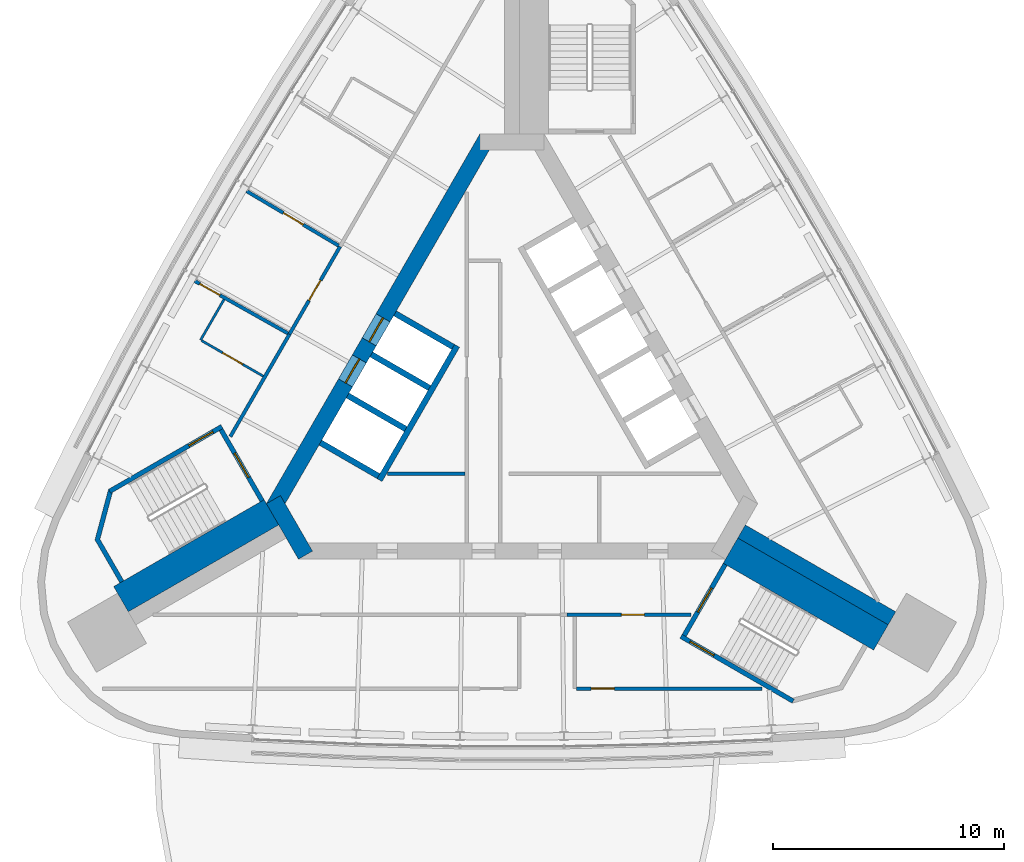
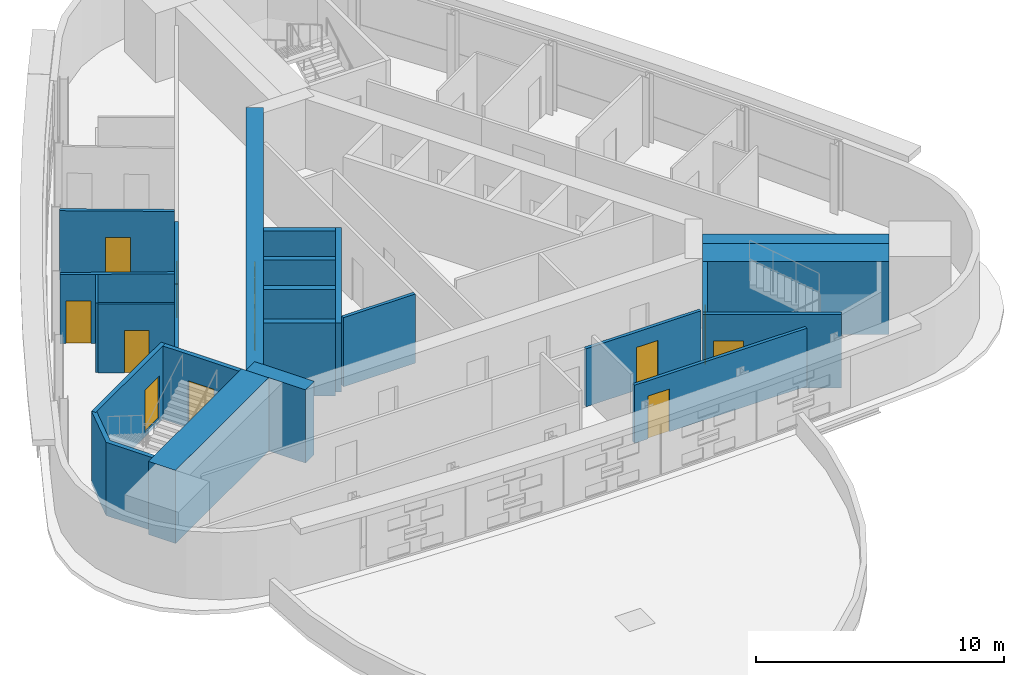
# One storey, part 6 of 9: 24 walls, 12 doors, 12 openings.
"""IFC4 building model written with IfcOpenShell, lengths in metres."""

from ifc_helpers import new_model, si_unit, direction, frame, frame_2d, origin, place, context, subcontext, project, spatial, polyline, rectangle, outline, extrude, material, layer, layer_set, type_object, element, fill, save


model = new_model("IFC4")

# Units and contexts
model_context = context("Model", 3, precision=1e-05, world=origin(), true_north=direction((0.0, 1.0)))
body_context = subcontext(model_context, "Body", "Model", "MODEL_VIEW")
ifc_project = project(units=[si_unit("LENGTHUNIT", "METRE"), si_unit("AREAUNIT", "SQUARE_METRE"), si_unit("VOLUMEUNIT", "CUBIC_METRE"), si_unit("PLANEANGLEUNIT", "RADIAN"), si_unit("MASSUNIT", "GRAM", prefix="KILO")], contexts=[model_context])

# Site, building, storey
site_placement = place(None, origin())
site = spatial("IfcSite", under=ifc_project, at=site_placement, CompositionType="ELEMENT")
building_placement = place(site_placement, origin())
building = spatial("IfcBuilding", under=site, at=building_placement, Name="Noor Cloister Tower", CompositionType="ELEMENT")
storey_placement = place(building_placement, frame((0.0, 0.0, 229.199951171875)))
storey = spatial("IfcBuildingStorey", under=building, at=storey_placement, Name="L59", CompositionType="ELEMENT", Elevation=229.199951171875)

# Walls
ifc_material_1 = material(Name="Concrete C60/75", Category="concrete")
ifc_layer_1 = layer(ifc_material_1, 0.64990234375)
ifc_layer_set_1 = layer_set([ifc_layer_1], Name="Buttress wall 650 C60/75")
wall_type_1 = type_object("IfcWallType", Name="Buttress wall 650 C60/75", PredefinedType="SHEAR", material=ifc_layer_set_1)
wall_1_placement = place(storey_placement, frame((9.921630859375, -5.728271484375, -0.199951171875), z_axis=(0.0, 0.0, 1.0), x_axis=(0.866026891245, -0.499997423634, 0.0)))
element("IfcWall", 1, at=wall_1_placement, inside=storey, type_object=wall_type_1, Name="Buttress wall SE L59", PredefinedType="SHEAR", context=body_context, shape_type="SweptSolid", body=[
    extrude(rectangle(XDim=7.50634765625, YDim=0.64990234375, at=frame_2d((3.753173828125, 0.0))), origin(), (0.0, 0.0, 1.0), 3.60009765625),
])
ifc_material_2 = material(Name="Concrete C30/37", Category="concrete")
ifc_layer_2 = layer(ifc_material_2, 0.14990234375)
ifc_layer_set_2 = layer_set([ifc_layer_2], Name="Core partition 150 C30/37")
wall_type_2 = type_object("IfcWallType", Name="Core partition 150 C30/37", PredefinedType="PARTITIONING", material=ifc_layer_set_2)
wall_2_placement = place(storey_placement, frame((-5.373291015625, -3.228271484375, 0.0), z_axis=(0.0, 0.0, 1.0), x_axis=(1.0, 0.0, 0.0)))
element("IfcWall", 2, at=wall_2_placement, inside=storey, type_object=wall_type_2, Name="Core room partition L59 1", PredefinedType="PARTITIONING", context=body_context, shape_type="SweptSolid", body=[
    extrude(rectangle(XDim=3.344482421875, YDim=0.14990234375, at=frame_2d((1.67236328125, 0.0))), origin(), (0.0, 0.0, 1.0), 3.400146484375),
])

# Wall, openings, doors
ifc_material_3 = material(Name="Concrete C60/75", Category="concrete")
ifc_layer_3 = layer(ifc_material_3, 0.699951171875)
ifc_layer_set_3 = layer_set([ifc_layer_3], Name="Core wall 700 C60/75")
wall_type_3 = type_object("IfcWallType", Name="Core wall 700 C60/75", PredefinedType="SHEAR", material=ifc_layer_set_3)
wall_3_placement = place(storey_placement, frame((-1.08251953125, 11.281494140625, -0.199951171875), z_axis=(0.0, 0.0, 1.0), x_axis=(-0.500001446645, -0.866024568562, 0.0)))
wall_3 = element("IfcWall", 3, at=wall_3_placement, inside=storey, type_object=wall_type_3, Name="Core wall L59 5", PredefinedType="SHEAR", context=body_context, shape_type="SweptSolid", body=[
    extrude(rectangle(XDim=18.45751953125, YDim=0.699951171875, at=frame_2d((9.228759765625, 0.0))), origin(), (0.0, 0.0, 1.0), 3.60009765625),
])
opening_1_placement = place(wall_3_placement, frame((8.978759765625, 0.0, 0.199951171875)))
opening_1 = element("IfcOpeningElement", 4, at=opening_1_placement, cuts=wall_3, Name="Opening L59-FF1", PredefinedType="OPENING", context=body_context, shape_type="SweptSolid", body=[
    extrude(rectangle(XDim=1.199951171875, YDim=2.10009765625, at=frame_2d((0.60009765625, 1.050048828125))), frame((0.0, 0.35986328125, 0.0), z_axis=(0.0, -1.0, 0.0), x_axis=(1.0, 0.0, 0.0)), (0.0, 0.0, 1.0), 0.719970703125),
])
opening_2_placement = place(wall_3_placement, frame((11.02880859375, 0.0, 0.199951171875)))
opening_2 = element("IfcOpeningElement", 5, at=opening_2_placement, cuts=wall_3, Name="Opening L59-FF2", PredefinedType="OPENING", context=body_context, shape_type="SweptSolid", body=[
    extrude(rectangle(XDim=1.199951171875, YDim=2.10009765625, at=frame_2d((0.60009765625, 1.050048828125))), frame((0.0, 0.35986328125, 0.0), z_axis=(0.0, -1.0, 0.0), x_axis=(1.0, 0.0, 0.0)), (0.0, 0.0, 1.0), 0.719970703125),
])
ifc_material_4 = material(Name="Stainless steel", Category="steel")
door_type_1 = type_object("IfcDoorType", Name="Lift landing door 1200 x 2100", OperationType="DOUBLE_DOOR_SLIDING", PredefinedType="DOOR", material=ifc_material_4)
door_1_placement = place(opening_1_placement, origin())
door_1 = element("IfcDoor", 6, at=door_1_placement, inside=storey, type_object=door_type_1, Name="Landing door FF1 L59", OperationType="DOUBLE_DOOR_SLIDING", OverallHeight=2.10009765625, OverallWidth=1.199951171875, PredefinedType="DOOR", context=body_context, shape_type="SweptSolid", body=[
    extrude(rectangle(XDim=1.199951171875, YDim=2.10009765625, at=frame_2d((0.60009765625, 1.050048828125))), frame((0.0, 0.02490234375, 0.0), z_axis=(0.0, -1.0, 0.0), x_axis=(1.0, 0.0, 0.0)), (0.0, 0.0, 1.0), 0.050048828125),
])
fill(opening_1, door_1)
door_2_placement = place(opening_2_placement, origin())
door_2 = element("IfcDoor", 7, at=door_2_placement, inside=storey, type_object=door_type_1, Name="Landing door FF2 L59", OperationType="DOUBLE_DOOR_SLIDING", OverallHeight=2.10009765625, OverallWidth=1.199951171875, PredefinedType="DOOR", context=body_context, shape_type="SweptSolid", body=[
    extrude(rectangle(XDim=1.199951171875, YDim=2.10009765625, at=frame_2d((0.60009765625, 1.050048828125))), frame((0.0, 0.02490234375, 0.0), z_axis=(0.0, -1.0, 0.0), x_axis=(1.0, 0.0, 0.0)), (0.0, 0.0, 1.0), 0.050048828125),
])
fill(opening_2, door_2)

# Walls
wall_4_placement = place(storey_placement, frame((-10.311279296875, -4.353271484375, -0.199951171875), z_axis=(0.0, 0.0, 1.0), x_axis=(0.500042739161, -0.866000726912, 0.0)))
element("IfcWall", 8, at=wall_4_placement, inside=storey, type_object=wall_type_3, Name="Core wall L59 6", PredefinedType="SHEAR", context=body_context, shape_type="SweptSolid", body=[
    extrude(rectangle(XDim=2.771240234375, YDim=0.699951171875, at=frame_2d((1.3857421875, 0.0))), origin(), (0.0, 0.0, 1.0), 3.60009765625),
])
ifc_material_5 = material(Name="Fire-rated gypsum board partition on steel studs, 150 mm", Category="steel")
ifc_layer_4 = layer(ifc_material_5, 0.14990234375)
ifc_layer_set_4 = layer_set([ifc_layer_4], Name="Fire lobby wall 150")
wall_type_4 = type_object("IfcWallType", Name="Fire lobby wall 150", PredefinedType="PARTITIONING", material=ifc_layer_set_4)
wall_5_placement = place(storey_placement, frame((-9.619384765625, 2.79541015625, 0.0), z_axis=(0.0, 0.0, 1.0), x_axis=(-0.499963809755, -0.866046297224, 0.0)))
element("IfcWall", 9, at=wall_5_placement, inside=storey, type_object=wall_type_4, Name="Wall L59-W19", PredefinedType="PARTITIONING", context=body_context, shape_type="SweptSolid", body=[
    extrude(rectangle(XDim=5.10791015625, YDim=0.14990234375, at=frame_2d((2.553955078125, 0.0))), origin(), (0.0, 0.0, 1.0), 2.85205078125),
])

# Wall, opening, door
wall_6_placement = place(storey_placement, frame((-7.430419921875, 6.58642578125, 0.0), z_axis=(0.0, 0.0, 1.0), x_axis=(-0.500037854553, -0.866003547345, 0.0)))
wall_6 = element("IfcWall", 10, at=wall_6_placement, inside=storey, type_object=wall_type_4, Name="Wall L59-W22", PredefinedType="PARTITIONING", context=body_context, shape_type="SweptSolid", body=[
    extrude(rectangle(XDim=4.377685546875, YDim=0.14990234375, at=frame_2d((2.18896484375, 0.0))), origin(), (0.0, 0.0, 1.0), 2.85205078125),
])
opening_3_placement = place(wall_6_placement, frame((1.688720703125, 0.0, 0.0)))
opening_3 = element("IfcOpeningElement", 11, at=opening_3_placement, cuts=wall_6, Name="Opening L59-012", PredefinedType="OPENING", context=body_context, shape_type="SweptSolid", body=[
    extrude(rectangle(XDim=1.0, YDim=2.10009765625, at=frame_2d((0.5, 1.050048828125))), frame((0.0, 0.0849609375, 0.0), z_axis=(0.0, -1.0, 0.0), x_axis=(1.0, 0.0, 0.0)), (0.0, 0.0, 1.0), 0.169921875),
])
ifc_material_6 = material(Name="Timber door leaf with steel frame", Category="steel")
door_type_2 = type_object("IfcDoorType", Name="Fire lobby door 1000", OperationType="NOTDEFINED", PredefinedType="DOOR", material=ifc_material_6)
door_3_placement = place(opening_3_placement, origin())
door_3 = element("IfcDoor", 12, at=door_3_placement, inside=storey, type_object=door_type_2, Name="Door L59-012", OperationType="SINGLE_SWING_RIGHT", OverallHeight=2.10009765625, OverallWidth=1.0, PredefinedType="DOOR", context=body_context, shape_type="SweptSolid", body=[
    extrude(rectangle(XDim=1.0, YDim=2.10009765625, at=frame_2d((0.5, 1.050048828125))), frame((0.0, 0.02490234375, 0.0), z_axis=(0.0, -1.0, 0.0), x_axis=(1.0, 0.0, 0.0)), (0.0, 0.0, 1.0), 0.050048828125),
])
fill(opening_3, door_3)

ifc_material_7 = material(Name="Gypsum board partition on steel studs, 150 mm", Category="steel")
ifc_layer_5 = layer(ifc_material_7, 0.14990234375)
ifc_layer_set_5 = layer_set([ifc_layer_5], Name="Flat wall 150")
wall_type_5 = type_object("IfcWallType", Name="Flat wall 150", PredefinedType="PARTITIONING", material=ifc_layer_set_5)
wall_7_placement = place(storey_placement, frame((2.38427734375, -9.328125, 0.0), z_axis=(0.0, 0.0, 1.0), x_axis=(1.0, 0.0, 0.0)))
wall_7 = element("IfcWall", 13, at=wall_7_placement, inside=storey, type_object=wall_type_5, Name="Wall L59-W12", PredefinedType="PARTITIONING", context=body_context, shape_type="SweptSolid", body=[
    extrude(rectangle(XDim=5.34326171875, YDim=0.14990234375, at=frame_2d((2.671630859375, 0.0))), origin(), (0.0, 0.0, 1.0), 2.85205078125),
])
opening_4_placement = place(wall_7_placement, frame((2.340576171875, 0.0, 0.0)))
opening_4 = element("IfcOpeningElement", 14, at=opening_4_placement, cuts=wall_7, Name="Opening L59-011", PredefinedType="OPENING", context=body_context, shape_type="SweptSolid", body=[
    extrude(rectangle(XDim=1.0, YDim=2.10009765625, at=frame_2d((0.5, 1.050048828125))), frame((0.0, 0.0849609375, 0.0), z_axis=(0.0, -1.0, 0.0), x_axis=(1.0, 0.0, 0.0)), (0.0, 0.0, 1.0), 0.169921875),
])
ifc_material_8 = material(Name="Timber door leaf with steel frame", Category="steel")
door_type_3 = type_object("IfcDoorType", Name="Interior door 1000 FD60", OperationType="NOTDEFINED", PredefinedType="DOOR", material=ifc_material_8)
door_4_placement = place(opening_4_placement, origin())
door_4 = element("IfcDoor", 15, at=door_4_placement, inside=storey, type_object=door_type_3, Name="Door L59-011", OperationType="SINGLE_SWING_LEFT", OverallHeight=2.10009765625, OverallWidth=1.0, PredefinedType="DOOR", context=body_context, shape_type="SweptSolid", body=[
    extrude(rectangle(XDim=1.0, YDim=2.10009765625, at=frame_2d((0.5, 1.050048828125))), frame((0.0, 0.02490234375, 0.0), z_axis=(0.0, -1.0, 0.0), x_axis=(1.0, 0.0, 0.0)), (0.0, 0.0, 1.0), 0.050048828125),
])
fill(opening_4, door_4)

wall_8_placement = place(storey_placement, frame((2.796875, -12.51708984375, 0.0), z_axis=(0.0, 0.0, 1.0), x_axis=(1.0, 0.0, 0.0)))
wall_8 = element("IfcWall", 16, at=wall_8_placement, inside=storey, type_object=wall_type_5, Name="Wall L59-W17", PredefinedType="PARTITIONING", context=body_context, shape_type="SweptSolid", body=[
    extrude(rectangle(XDim=8.011962890625, YDim=0.14990234375, at=frame_2d((4.005859375, 0.0))), origin(), (0.0, 0.0, 1.0), 2.85205078125),
])
opening_5_placement = place(wall_8_placement, frame((0.625, 0.0, 0.0)))
opening_5 = element("IfcOpeningElement", 17, at=opening_5_placement, cuts=wall_8, Name="Opening L59-010", PredefinedType="OPENING", context=body_context, shape_type="SweptSolid", body=[
    extrude(rectangle(XDim=1.0, YDim=2.10009765625, at=frame_2d((0.5, 1.050048828125))), frame((0.0, 0.0849609375, 0.0), z_axis=(0.0, -1.0, 0.0), x_axis=(1.0, 0.0, 0.0)), (0.0, 0.0, 1.0), 0.169921875),
])
door_5_placement = place(opening_5_placement, origin())
door_5 = element("IfcDoor", 18, at=door_5_placement, inside=storey, type_object=door_type_3, Name="Door L59-010", OperationType="SINGLE_SWING_RIGHT", OverallHeight=2.10009765625, OverallWidth=1.0, PredefinedType="DOOR", context=body_context, shape_type="SweptSolid", body=[
    extrude(rectangle(XDim=1.0, YDim=2.10009765625, at=frame_2d((0.5, 1.050048828125))), frame((0.0, 0.02490234375, 0.0), z_axis=(0.0, -1.0, 0.0), x_axis=(1.0, 0.0, 0.0)), (0.0, 0.0, 1.0), 0.050048828125),
])
fill(opening_5, door_5)

wall_9_placement = place(storey_placement, frame((-11.47216796875, 8.981201171875, 0.0), z_axis=(0.0, 0.0, 1.0), x_axis=(0.860336137803, -0.509727113257, 0.0)))
wall_9 = element("IfcWall", 19, at=wall_9_placement, inside=storey, type_object=wall_type_5, Name="Wall L59-W20", PredefinedType="PARTITIONING", context=body_context, shape_type="SweptSolid", body=[
    extrude(rectangle(XDim=4.623046875, YDim=0.14990234375, at=frame_2d((2.3115234375, 0.0))), origin(), (0.0, 0.0, 1.0), 3.400146484375),
])
opening_6_placement = place(wall_9_placement, frame((1.848876953125, 0.0, 0.0)))
opening_6 = element("IfcOpeningElement", 20, at=opening_6_placement, cuts=wall_9, Name="Opening L59-015", PredefinedType="OPENING", context=body_context, shape_type="SweptSolid", body=[
    extrude(rectangle(XDim=1.0, YDim=2.10009765625, at=frame_2d((0.5, 1.050048828125))), frame((0.0, 0.0849609375, 0.0), z_axis=(0.0, -1.0, 0.0), x_axis=(1.0, 0.0, 0.0)), (0.0, 0.0, 1.0), 0.169921875),
])
ifc_material_9 = material(Name="Timber door leaf with steel frame", Category="steel")
door_type_4 = type_object("IfcDoorType", Name="Flat entrance door 1000", OperationType="NOTDEFINED", PredefinedType="DOOR", material=ifc_material_9)
door_6_placement = place(opening_6_placement, origin())
door_6 = element("IfcDoor", 21, at=door_6_placement, inside=storey, type_object=door_type_4, Name="Door L59-015", OperationType="SINGLE_SWING_LEFT", OverallHeight=2.10009765625, OverallWidth=1.0, PredefinedType="DOOR", context=body_context, shape_type="SweptSolid", body=[
    extrude(rectangle(XDim=1.0, YDim=2.10009765625, at=frame_2d((0.5, 1.050048828125))), frame((0.0, 0.02490234375, 0.0), z_axis=(0.0, -1.0, 0.0), x_axis=(1.0, 0.0, 0.0)), (0.0, 0.0, 1.0), 0.050048828125),
])
fill(opening_6, door_6)

wall_10_placement = place(storey_placement, frame((-13.710205078125, 5.095703125, 0.0), z_axis=(0.0, 0.0, 1.0), x_axis=(0.871644704197, -0.490138255644, 0.0)))
wall_10 = element("IfcWall", 22, at=wall_10_placement, inside=storey, type_object=wall_type_5, Name="Wall L59-W21", PredefinedType="PARTITIONING", context=body_context, shape_type="SweptSolid", body=[
    extrude(rectangle(XDim=4.618408203125, YDim=0.14990234375, at=frame_2d((2.30908203125, 0.0))), origin(), (0.0, 0.0, 1.0), 3.400146484375),
])
opening_7_placement = place(wall_10_placement, frame((0.24658203125, 0.0, 0.0)))
opening_7 = element("IfcOpeningElement", 23, at=opening_7_placement, cuts=wall_10, Name="Opening L59-017", PredefinedType="OPENING", context=body_context, shape_type="SweptSolid", body=[
    extrude(rectangle(XDim=1.0, YDim=2.10009765625, at=frame_2d((0.5, 1.050048828125))), frame((0.0, 0.0849609375, 0.0), z_axis=(0.0, -1.0, 0.0), x_axis=(1.0, 0.0, 0.0)), (0.0, 0.0, 1.0), 0.169921875),
])
door_7_placement = place(opening_7_placement, origin())
door_7 = element("IfcDoor", 24, at=door_7_placement, inside=storey, type_object=door_type_4, Name="Door L59-017", OperationType="SINGLE_SWING_LEFT", OverallHeight=2.10009765625, OverallWidth=1.0, PredefinedType="DOOR", context=body_context, shape_type="SweptSolid", body=[
    extrude(rectangle(XDim=1.0, YDim=2.10009765625, at=frame_2d((0.5, 1.050048828125))), frame((0.0, 0.02490234375, 0.0), z_axis=(0.0, -1.0, 0.0), x_axis=(1.0, 0.0, 0.0)), (0.0, 0.0, 1.0), 0.050048828125),
])
fill(opening_7, door_7)

# Wall
ifc_material_10 = material(Name="Gypsum board partition on steel studs, 100 mm", Category="steel")
ifc_layer_6 = layer(ifc_material_10, 0.10009765625)
ifc_layer_set_6 = layer_set([ifc_layer_6], Name="Partition 100")
wall_type_6 = type_object("IfcWallType", Name="Partition 100", PredefinedType="PARTITIONING", material=ifc_layer_set_6)
wall_11_placement = place(storey_placement, frame((-12.4462890625, 4.299072265625, 0.0), z_axis=(0.0, 0.0, 1.0), x_axis=(-0.499938124251, -0.866061124818, 0.0)))
element("IfcWall", 25, at=wall_11_placement, inside=storey, type_object=wall_type_6, Name="Wall L59-W26", PredefinedType="PARTITIONING", context=body_context, shape_type="SweptSolid", body=[
    extrude(rectangle(XDim=2.025146484375, YDim=0.10009765625, at=frame_2d((1.0126953125, 0.0))), origin(), (0.0, 0.0, 1.0), 3.400146484375),
])

# Wall, opening, door
wall_12_placement = place(storey_placement, frame((-13.415283203125, 2.520263671875, 0.0), z_axis=(0.0, 0.0, 1.0), x_axis=(0.865996501658, -0.50005005661, 0.0)))
wall_12 = element("IfcWall", 26, at=wall_12_placement, inside=storey, type_object=wall_type_6, Name="Wall L59-W27", PredefinedType="PARTITIONING", context=body_context, shape_type="SweptSolid", body=[
    extrude(rectangle(XDim=3.074951171875, YDim=0.10009765625, at=frame_2d((1.53759765625, 0.0))), origin(), (0.0, 0.0, 1.0), 3.400146484375),
])
opening_8_placement = place(wall_12_placement, frame((1.050048828125, 0.0, 0.0)))
opening_8 = element("IfcOpeningElement", 27, at=opening_8_placement, cuts=wall_12, Name="Opening L59-016", PredefinedType="OPENING", context=body_context, shape_type="SweptSolid", body=[
    extrude(rectangle(XDim=1.0, YDim=2.10009765625, at=frame_2d((0.5, 1.050048828125))), frame((0.0, 0.06005859375, 0.0), z_axis=(0.0, -1.0, 0.0), x_axis=(1.0, 0.0, 0.0)), (0.0, 0.0, 1.0), 0.1201171875),
])
ifc_material_11 = material(Name="Timber door leaf with steel frame", Category="steel")
door_type_5 = type_object("IfcDoorType", Name="Interior door 1000", OperationType="NOTDEFINED", PredefinedType="DOOR", material=ifc_material_11)
door_8_placement = place(opening_8_placement, origin())
door_8 = element("IfcDoor", 28, at=door_8_placement, inside=storey, type_object=door_type_5, Name="Door L59-016", OperationType="SINGLE_SWING_RIGHT", OverallHeight=2.10009765625, OverallWidth=1.0, PredefinedType="DOOR", context=body_context, shape_type="SweptSolid", body=[
    extrude(rectangle(XDim=1.0, YDim=2.10009765625, at=frame_2d((0.5, 1.050048828125))), frame((0.0, 0.02490234375, 0.0), z_axis=(0.0, -1.0, 0.0), x_axis=(1.0, 0.0, 0.0)), (0.0, 0.0, 1.0), 0.050048828125),
])
fill(opening_8, door_8)

# Walls
ifc_material_12 = material(Name="Concrete C60/75", Category="concrete")
ifc_layer_7 = layer(ifc_material_12, 0.25)
ifc_layer_set_7 = layer_set([ifc_layer_7], Name="Shaft wall 250 C60/75")
wall_type_7 = type_object("IfcWallType", Name="Shaft wall 250 C60/75", PredefinedType="PARTITIONING", material=ifc_layer_set_7)
for number, where, z_axis, x_axis, name in (
    (29, (-5.056396484375, 3.69873046875, -0.199951171875), (0.0, 0.0, 1.0), (0.866032775405, -0.499987231761, 0.0), "Lift shaft wall L59 NW 3"),
    (30, (-6.081298828125, 1.92333984375, -0.199951171875), (0.0, 0.0, 1.0), (0.866032775405, -0.499987231761, 0.0), "Lift shaft wall L59 NW 4"),
    (31, (-7.106201171875, 0.14794921875, -0.199951171875), (0.0, 0.0, 1.0), (0.866032775405, -0.499987231761, 0.0), "Lift shaft wall L59 NW 5"),
    (32, (-8.28125, -1.88720703125, -0.199951171875), (0.0, 0.0, 1.0), (0.866032775405, -0.499987231761, 0.0), "Lift shaft wall L59 NW 6"),
):
    element("IfcWall", number, at=place(storey_placement, frame(where, z_axis=z_axis, x_axis=x_axis)), inside=storey, type_object=wall_type_7, Name=name, PredefinedType="PARTITIONING", context=body_context, shape_type="SweptSolid", body=[
        extrude(rectangle(XDim=2.89990234375, YDim=0.25, at=frame_2d((1.449951171875, 0.0))), origin(), (0.0, 0.0, 1.0), 3.60009765625),
    ])
wall_13_placement = place(storey_placement, frame((-2.3740234375, 2.29443359375, 0.0), z_axis=(0.0, 0.0, 1.0), x_axis=(-0.500003174267, -0.866023571113, 0.0)))
element("IfcWall", 33, at=wall_13_placement, inside=storey, type_object=wall_type_7, Name="Lift shaft back wall L59 NW", PredefinedType="PARTITIONING", context=body_context, shape_type="SweptSolid", body=[
    extrude(rectangle(XDim=6.7001953125, YDim=0.25, at=frame_2d((3.35009765625, 0.0))), origin(), (0.0, 0.0, 1.0), 3.400146484375),
])
ifc_material_13 = material(Name="Concrete C60/75", Category="concrete")
ifc_layer_8 = layer(ifc_material_13, 1.260986328125)
ifc_layer_set_8 = layer_set([ifc_layer_8], Name="Stair enclosure wall 1261 C60/75")
wall_type_8 = type_object("IfcWallType", Name="Stair enclosure wall 1261 C60/75", PredefinedType="SHEAR", material=ifc_layer_set_8)
for number, where, z_axis, x_axis, name in (
    (34, (-10.399169921875, -4.90087890625, -0.199951171875), (0.0, 0.0, 1.0), (-0.866020939036, -0.500007733091, 0.0), "Stair enclosure wall ST2 L59 riser side"),
    (35, (9.44384765625, -6.555419921875, -0.199951171875), (0.0, 0.0, 1.0), (0.866020939036, -0.500007733091, 0.0), "Stair enclosure wall ST3 L59 riser side"),
):
    element("IfcWall", number, at=place(storey_placement, frame(where, z_axis=z_axis, x_axis=x_axis)), inside=storey, type_object=wall_type_8, Name=name, PredefinedType="SHEAR", context=body_context, shape_type="SweptSolid", body=[
        extrude(rectangle(XDim=7.5068359375, YDim=1.2607421875, at=frame_2d((3.75341796875, 0.0))), origin(), (0.0, 0.0, 1.0), 3.60009765625),
    ])

# Wall, opening, door
ifc_material_14 = material(Name="Concrete C60/75", Category="concrete")
ifc_layer_9 = layer(ifc_material_14, 0.199951171875)
ifc_layer_set_9 = layer_set([ifc_layer_9], Name="Stair enclosure wall 200 C60/75")
wall_type_9 = type_object("IfcWallType", Name="Stair enclosure wall 200 C60/75", PredefinedType="SHEAR", material=ifc_layer_set_9)
wall_14_placement = place(storey_placement, frame((-12.575927734375, -1.33056640625, -0.199951171875), z_axis=(0.0, 0.0, 1.0), x_axis=(0.499970499736, -0.8660424351, 0.0)))
wall_14 = element("IfcWall", 36, at=wall_14_placement, inside=storey, type_object=wall_type_9, Name="Stair enclosure wall ST2 L59 near end", PredefinedType="SHEAR", context=body_context, shape_type="SweptSolid", body=[
    extrude(rectangle(XDim=3.550048828125, YDim=0.199951171875, at=frame_2d((1.77490234375, 0.0))), origin(), (0.0, 0.0, 1.0), 3.60009765625),
])
opening_9_placement = place(wall_14_placement, frame((1.175048828125, 0.0, 0.199951171875)))
opening_9 = element("IfcOpeningElement", 37, at=opening_9_placement, cuts=wall_14, Name="Opening L59-ST2L", PredefinedType="OPENING", context=body_context, shape_type="SweptSolid", body=[
    extrude(rectangle(XDim=1.199951171875, YDim=2.10009765625, at=frame_2d((0.60009765625, 1.050048828125))), frame((0.0, 0.10986328125, 0.0), z_axis=(0.0, -1.0, 0.0), x_axis=(1.0, 0.0, 0.0)), (0.0, 0.0, 1.0), 0.219970703125),
])
ifc_material_15 = material(Name="Steel", Category="steel")
door_type_6 = type_object("IfcDoorType", Name="Stair door 1200 x 2100 FD120", OperationType="SINGLE_SWING_LEFT", PredefinedType="DOOR", material=ifc_material_15)
door_9_placement = place(opening_9_placement, origin())
door_9 = element("IfcDoor", 38, at=door_9_placement, inside=storey, type_object=door_type_6, Name="Stair door ST2 L59", OperationType="SINGLE_SWING_RIGHT", OverallHeight=2.10009765625, OverallWidth=1.199951171875, PredefinedType="DOOR", context=body_context, shape_type="SweptSolid", body=[
    extrude(rectangle(XDim=1.199951171875, YDim=2.10009765625, at=frame_2d((0.60009765625, 1.050048828125))), frame((0.0, 0.02490234375, 0.0), z_axis=(0.0, -1.0, 0.0), x_axis=(1.0, 0.0, 0.0)), (0.0, 0.0, 1.0), 0.050048828125),
])
fill(opening_9, door_9)

wall_15_placement = place(storey_placement, frame((-12.539306640625, -1.194091796875, -0.199951171875), z_axis=(0.0, 0.0, 1.0), x_axis=(-0.866045472092, -0.499965239061, 0.0)))
wall_15 = element("IfcWall", 39, at=wall_15_placement, inside=storey, type_object=wall_type_9, Name="Stair enclosure wall ST2 L59 outer side", PredefinedType="SHEAR", context=body_context, shape_type="SweptSolid", body=[
    extrude(rectangle(XDim=5.60009765625, YDim=0.199951171875, at=frame_2d((2.800048828125, 0.0))), origin(), (0.0, 0.0, 1.0), 3.60009765625),
])
opening_10_placement = place(wall_15_placement, frame((0.449951171875, 0.0, 0.199951171875)))
opening_10 = element("IfcOpeningElement", 40, at=opening_10_placement, cuts=wall_15, Name="Opening L59-ST2C", PredefinedType="OPENING", context=body_context, shape_type="SweptSolid", body=[
    extrude(rectangle(XDim=1.199951171875, YDim=2.10009765625, at=frame_2d((0.60009765625, 1.050048828125))), frame((0.0, 0.10986328125, 0.0), z_axis=(0.0, -1.0, 0.0), x_axis=(1.0, 0.0, 0.0)), (0.0, 0.0, 1.0), 0.219970703125),
])
door_10_placement = place(opening_10_placement, origin())
door_10 = element("IfcDoor", 41, at=door_10_placement, inside=storey, type_object=door_type_6, Name="Stair door ST2 L59", OperationType="SINGLE_SWING_LEFT", OverallHeight=2.10009765625, OverallWidth=1.199951171875, PredefinedType="DOOR", context=body_context, shape_type="SweptSolid", body=[
    extrude(rectangle(XDim=1.199951171875, YDim=2.10009765625, at=frame_2d((0.60009765625, 1.050048828125))), frame((0.0, 0.02490234375, 0.0), z_axis=(0.0, -1.0, 0.0), x_axis=(1.0, 0.0, 0.0)), (0.0, 0.0, 1.0), 0.050048828125),
])
fill(opening_10, door_10)

wall_16_placement = place(storey_placement, frame((7.440185546875, -10.225830078125, -0.199951171875), z_axis=(0.0, 0.0, 1.0), x_axis=(0.500022077904, 0.866012656725, 0.0)))
wall_16 = element("IfcWall", 42, at=wall_16_placement, inside=storey, type_object=wall_type_9, Name="Stair enclosure wall ST3 L59 near end", PredefinedType="SHEAR", context=body_context, shape_type="SweptSolid", body=[
    extrude(rectangle(XDim=3.550048828125, YDim=0.199951171875, at=frame_2d((1.77490234375, 0.0))), origin(), (0.0, 0.0, 1.0), 3.60009765625),
])
opening_11_placement = place(wall_16_placement, frame((1.175048828125, 0.0, 0.199951171875)))
opening_11 = element("IfcOpeningElement", 43, at=opening_11_placement, cuts=wall_16, Name="Opening L59-ST3L", PredefinedType="OPENING", context=body_context, shape_type="SweptSolid", body=[
    extrude(rectangle(XDim=1.199951171875, YDim=2.10009765625, at=frame_2d((0.60009765625, 1.050048828125))), frame((0.0, 0.10986328125, 0.0), z_axis=(0.0, -1.0, 0.0), x_axis=(1.0, 0.0, 0.0)), (0.0, 0.0, 1.0), 0.219970703125),
])
door_11_placement = place(opening_11_placement, origin())
door_11 = element("IfcDoor", 44, at=door_11_placement, inside=storey, type_object=door_type_6, Name="Stair door ST3 L59", OperationType="SINGLE_SWING_RIGHT", OverallHeight=2.10009765625, OverallWidth=1.199951171875, PredefinedType="DOOR", context=body_context, shape_type="SweptSolid", body=[
    extrude(rectangle(XDim=1.199951171875, YDim=2.10009765625, at=frame_2d((0.60009765625, 1.050048828125))), frame((0.0, 0.02490234375, 0.0), z_axis=(0.0, -1.0, 0.0), x_axis=(1.0, 0.0, 0.0)), (0.0, 0.0, 1.0), 0.050048828125),
])
fill(opening_11, door_11)

wall_17_placement = place(storey_placement, frame((7.3037109375, -10.262451171875, -0.199951171875), z_axis=(0.0, 0.0, 1.0), x_axis=(0.866026594901, -0.49999793692, 0.0)))
wall_17 = element("IfcWall", 45, at=wall_17_placement, inside=storey, type_object=wall_type_9, Name="Stair enclosure wall ST3 L59 outer side", PredefinedType="SHEAR", context=body_context, shape_type="SweptSolid", body=[
    extrude(rectangle(XDim=5.60009765625, YDim=0.199951171875, at=frame_2d((2.800048828125, 0.0))), origin(), (0.0, 0.0, 1.0), 3.60009765625),
])
opening_12_placement = place(wall_17_placement, frame((0.449951171875, 0.0, 0.199951171875)))
opening_12 = element("IfcOpeningElement", 46, at=opening_12_placement, cuts=wall_17, Name="Opening L59-ST3C", PredefinedType="OPENING", context=body_context, shape_type="SweptSolid", body=[
    extrude(rectangle(XDim=1.199951171875, YDim=2.10009765625, at=frame_2d((0.60009765625, 1.050048828125))), frame((0.0, 0.10986328125, 0.0), z_axis=(0.0, -1.0, 0.0), x_axis=(1.0, 0.0, 0.0)), (0.0, 0.0, 1.0), 0.219970703125),
])
door_12_placement = place(opening_12_placement, origin())
door_12 = element("IfcDoor", 47, at=door_12_placement, inside=storey, type_object=door_type_6, Name="Stair door ST3 L59", OperationType="SINGLE_SWING_LEFT", OverallHeight=2.10009765625, OverallWidth=1.199951171875, PredefinedType="DOOR", context=body_context, shape_type="SweptSolid", body=[
    extrude(rectangle(XDim=1.199951171875, YDim=2.10009765625, at=frame_2d((0.60009765625, 1.050048828125))), frame((0.0, 0.02490234375, 0.0), z_axis=(0.0, -1.0, 0.0), x_axis=(1.0, 0.0, 0.0)), (0.0, 0.0, 1.0), 0.050048828125),
])
fill(opening_12, door_12)

# Wall
ifc_material_16 = material(Name="Concrete C60/75", Category="concrete")
wall_type_10 = type_object("IfcWallType", Name="Stair far end wall C60/75", PredefinedType="SHEAR", material=ifc_material_16)
wall_18_placement = place(storey_placement, frame((0.0, 0.0, -0.199951171875)))
element("IfcWall", 48, at=wall_18_placement, inside=storey, type_object=wall_type_10, Name="Stair enclosure wall ST2 L59 far end", PredefinedType="SHEAR", context=body_context, shape_type="SweptSolid", body=[
    extrude(outline(polyline([(-17.439208984375, -3.907470703125), (-18.024658203125, -6.093017578125), (-16.94970703125, -7.955078125), (-16.776611328125, -7.85498046875), (-17.81005859375, -6.064697265625), (-17.267333984375, -4.039306640625), (-17.339111328125, -4.08056640625), (-17.339111328125, -4.08056640625), (-17.339111328125, -4.08056640625), (-17.339111328125, -4.08056640625), (-17.339111328125, -4.08056640625), (-17.339111328125, -4.08056640625), (-17.339111328125, -4.08056640625), (-17.339111328125, -4.08056640625), (-17.339111328125, -4.08056640625), (-17.339111328125, -4.08056640625), (-17.339111328125, -4.08056640625), (-17.339111328125, -4.08056640625), (-17.339111328125, -4.08056640625), (-17.339111328125, -4.08056640625), (-17.339111328125, -4.08056640625), (-17.339111328125, -4.08056640625), (-17.339111328125, -4.08056640625), (-17.439208984375, -3.907470703125)])), origin(), (0.0, 0.0, 1.0), 3.60009765625),
])

save(model, "model.ifc")
